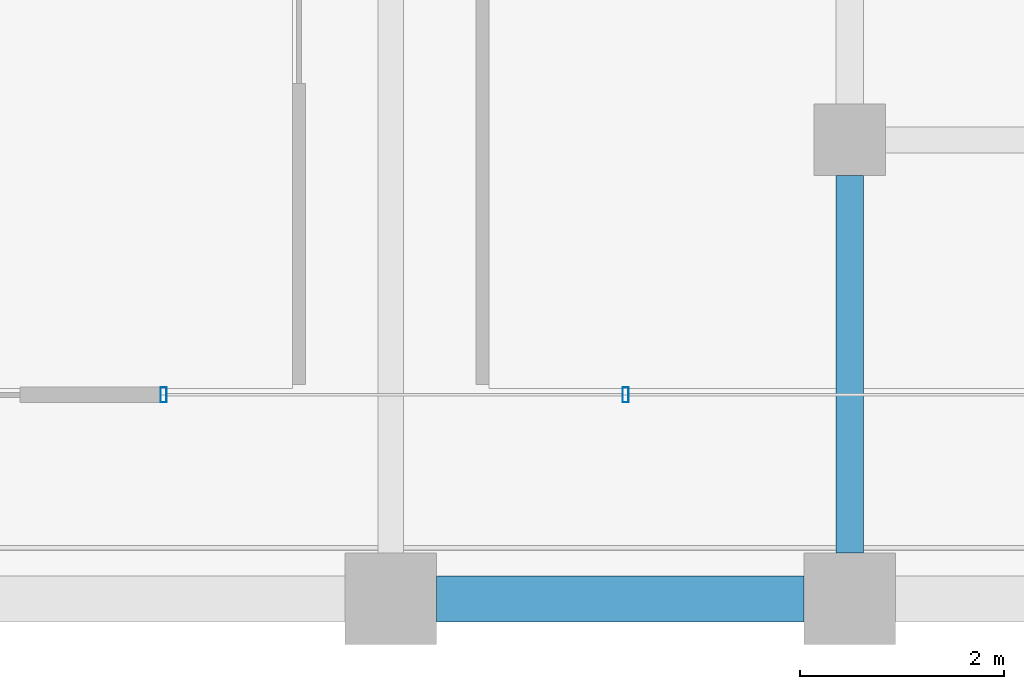
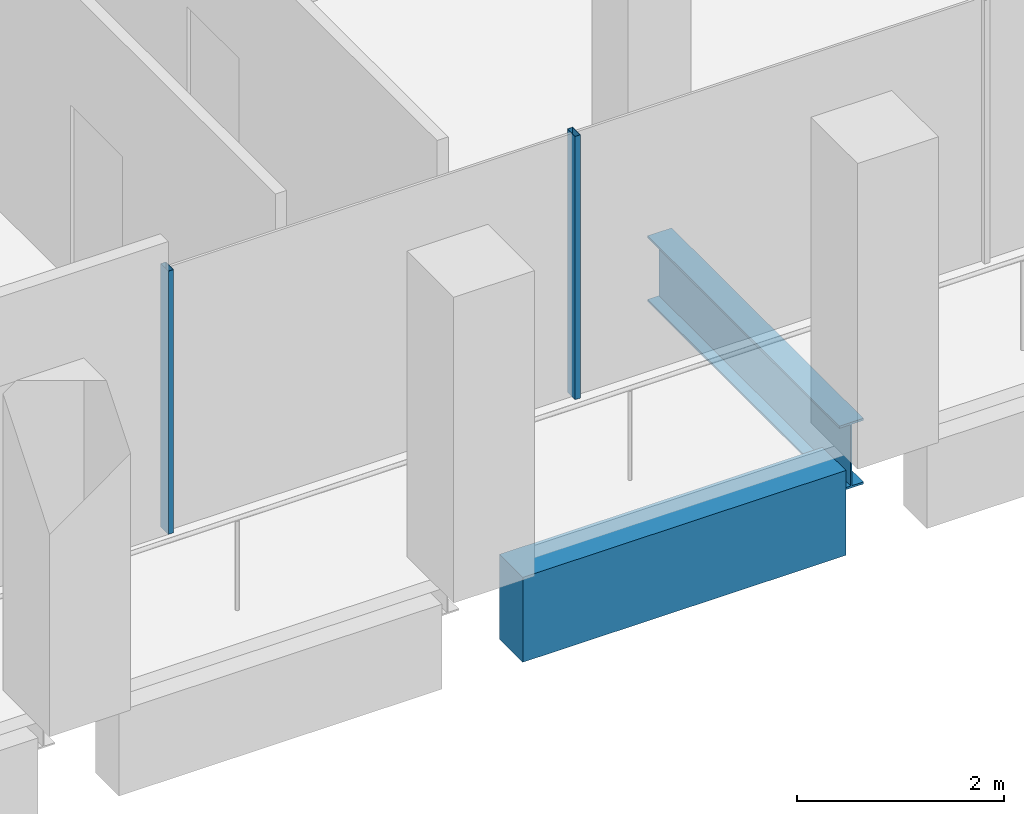
# One storey, part 9 of 40: 2 beams, 2 members, 1 element without a shape of its own.
"""IFC4 building model written with IfcOpenShell, lengths in metres."""

from ifc_helpers import new_model, si_unit, direction, frame, origin, origin_2d, place, context, subcontext, project, spatial, rectangle, hollow_rectangle, i_section, extrude, material, material_profile, profile_set, type_object, element, aggregate, save


model = new_model("IFC4")

# Units and contexts
model_context = context("Model", 3, precision=1e-05, world=origin(), true_north=direction((0.0, 1.0)))
body_context = subcontext(model_context, "Body", "Model", "MODEL_VIEW")
ifc_project = project(units=[si_unit("LENGTHUNIT", "METRE"), si_unit("AREAUNIT", "SQUARE_METRE"), si_unit("VOLUMEUNIT", "CUBIC_METRE"), si_unit("PLANEANGLEUNIT", "RADIAN"), si_unit("MASSUNIT", "GRAM", prefix="KILO")], contexts=[model_context])

# Site, building, storey
site_placement = place(None, origin())
site = spatial("IfcSite", under=ifc_project, at=site_placement, CompositionType="ELEMENT")
building_placement = place(site_placement, origin())
building = spatial("IfcBuilding", under=site, at=building_placement, Name="Altepetl Exchange Towers", CompositionType="ELEMENT")
storey_placement = place(building_placement, frame((0.0, 0.0, 147.39990234375)))
storey = spatial("IfcBuildingStorey", under=building, at=storey_placement, Name="L36", CompositionType="ELEMENT", Elevation=147.39990234375)

# Beam
ifc_material_1 = material(Name="Steel S355", Category="steel")
ifc_material_profile_1 = material_profile(ifc_material_1, i_section(OverallWidth=0.26806640625, OverallDepth=0.77392578125, WebThickness=0.015380859375, FlangeThickness=0.025390625, at=origin_2d()), Name="W30X132")
ifc_profile_set_1 = profile_set([ifc_material_profile_1], Name="Steel S355")
beam_type_1 = type_object("IfcBeamType", Name="Girder W30X132", PredefinedType="BEAM", material=ifc_profile_set_1)
beam_1_placement = place(storey_placement, frame((58.5, 31.14990234375, -0.536865234375), z_axis=(0.0, -1.0, 0.0), x_axis=(1.0, 0.0, 0.0)))
element("IfcBeam", 1, at=beam_1_placement, inside=storey, type_object=beam_type_1, Name="gd:A:L36:005", PredefinedType="BEAM", context=body_context, shape_type="SweptSolid", body=[
    extrude(i_section(OverallWidth=0.26806640625, OverallDepth=0.77392578125, WebThickness=0.015380859375, FlangeThickness=0.025390625, at=origin_2d()), origin(), (0.0, 0.0, 1.0), 3.699951171875),
])

# Curtain wall, members
ifc_material_2 = material(Name="Aluminium 6063-T6 glazing", Category="aluminium")
curtain_wall_type = type_object("IfcCurtainWallType", Name="Loggia glazing system", PredefinedType="NOTDEFINED", material=ifc_material_2)
curtain_wall_placement = place(storey_placement, origin())
curtain_wall = element("IfcCurtainWall", 2, at=curtain_wall_placement, inside=storey, type_object=curtain_wall_type, Name="CW1 run", PredefinedType="NOTDEFINED")
ifc_material_3 = material(Name="Aluminium 6063-T6", Category="aluminium")
ifc_material_profile_2 = material_profile(ifc_material_3, hollow_rectangle(XDim=0.06005859375, YDim=0.14990234375, WallThickness=0.0029296875, at=origin_2d()), Name="Mullion 60x150 aluminium")
ifc_profile_set_2 = profile_set([ifc_material_profile_2], Name="Aluminium 6063-T6")
member_type = type_object("IfcMemberType", Name="Mullion 60x150 aluminium", PredefinedType="MULLION", material=ifc_profile_set_2)
member_1_placement = place(storey_placement, frame((51.77294921875, 29.0, 0.0)))
member_1 = element("IfcMember", 3, at=member_1_placement, type_object=member_type, Name="MU1 mullion", PredefinedType="MULLION", context=body_context, shape_type="SweptSolid", body=[
    extrude(hollow_rectangle(XDim=0.06005859375, YDim=0.14990234375, WallThickness=0.0029296875, at=origin_2d()), origin(), (0.0, 0.0, 1.0), 3.10009765625),
])
member_2_placement = place(storey_placement, frame((56.303466796875, 29.0, 0.0)))
member_2 = element("IfcMember", 4, at=member_2_placement, type_object=member_type, Name="MU1 mullion", PredefinedType="MULLION", context=body_context, shape_type="SweptSolid", body=[
    extrude(hollow_rectangle(XDim=0.06005859375, YDim=0.14990234375, WallThickness=0.0029296875, at=origin_2d()), origin(), (0.0, 0.0, 1.0), 3.10009765625),
])
aggregate(curtain_wall, [member_1, member_2])

# Beam
ifc_material_4 = material(Name="Concrete C50/60 precast with cantera blanca facing", Category="concrete")
ifc_material_profile_3 = material_profile(ifc_material_4, rectangle(XDim=0.449951171875, YDim=1.0, at=origin_2d()), Name="450 x 1000")
ifc_profile_set_3 = profile_set([ifc_material_profile_3], Name="Concrete C50/60 precast with cantera blanca facing")
beam_type_2 = type_object("IfcBeamType", Name="Spandrel beam 450x1000 cantera blanca", PredefinedType="SPANDREL", material=ifc_profile_set_3)
beam_2_placement = place(storey_placement, frame((54.449951171875, 27.0, -0.64990234375), z_axis=(1.0, 0.0, 0.0), x_axis=(0.0, 1.0, 0.0)))
element("IfcBeam", 5, at=beam_2_placement, inside=storey, type_object=beam_type_2, Name="sp:A:L36:005", PredefinedType="SPANDREL", context=body_context, shape_type="SweptSolid", body=[
    extrude(rectangle(XDim=0.449951171875, YDim=1.0, at=origin_2d()), origin(), (0.0, 0.0, 1.0), 3.60009765625),
])

save(model, "model.ifc")
